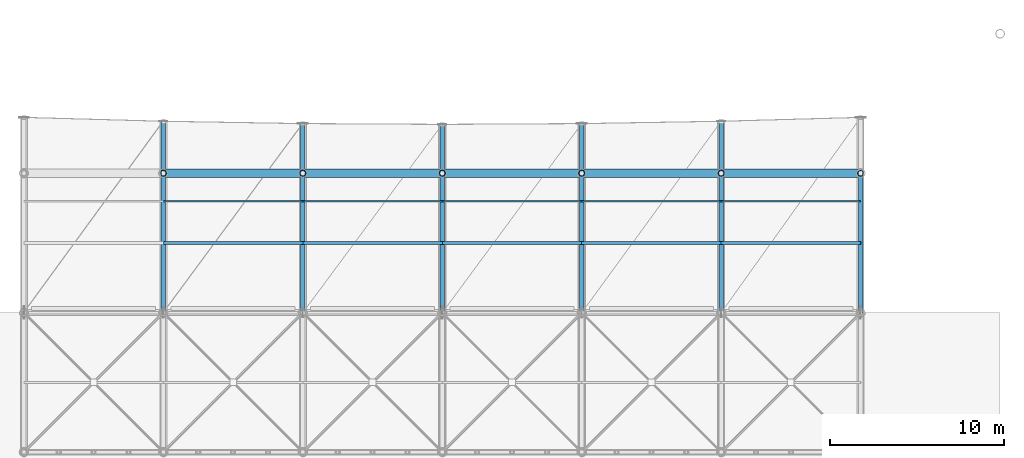
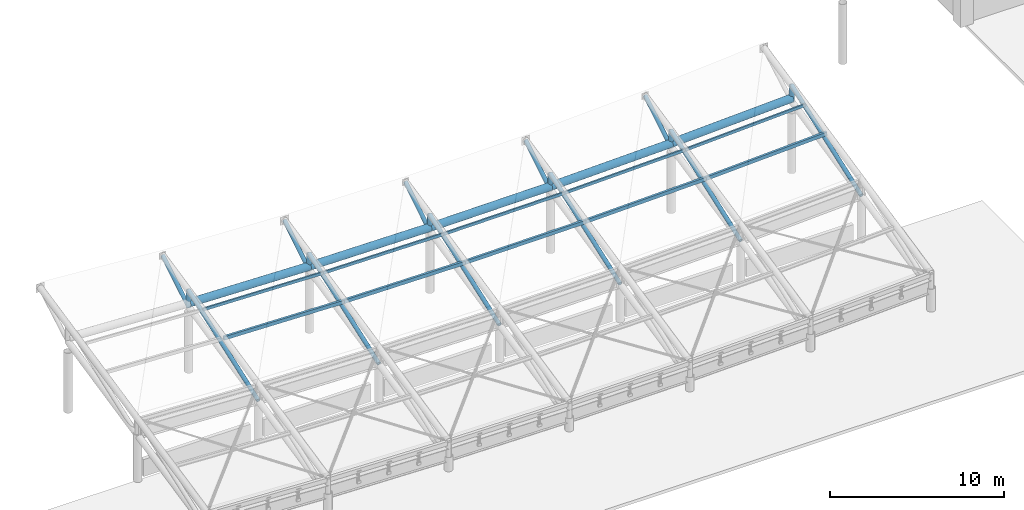
# One storey, part 25 of 78: 27 members, 5 beams.
"""IFC4 building model written with IfcOpenShell, lengths in metres."""

import ifcopenshell
import ifcopenshell.guid

model = None  # the IFC model being written
_history = None  # IfcOwnerHistory: only IFC2X3 demands one
_inside = {}  # id of a spatial element -> (the spatial element, [elements in it])
_under = {}  # id of a project, library or spatial element -> (it, [spatial elements below it])
_declared = {}  # id of a project -> (the project, [libraries it declares])
_typed = {}  # id of a type object -> (the type object, [elements of that type])
_made_of = {}  # id of a material, layer set ... -> (it, [elements and type objects made of it])


def new_model(schema):
    """Start an empty IFC model of exactly this schema.

    Asked for "IFC4X3", IfcOpenShell would pick the latest addendum, in which some entities
    have other attributes; the version numbers below select the first issue.
    IFC2X3 requires an IfcOwnerHistory on every rooted entity: one is made here for all.
    """
    global model, _history
    if schema == "IFC4X3":
        model = ifcopenshell.file(schema_version=(4, 3, 0, 0))
    else:
        model = ifcopenshell.file(schema=schema)
    _inside.clear()
    _under.clear()
    _declared.clear()
    _typed.clear()
    _made_of.clear()
    _history = None
    if model.schema == "IFC2X3":
        org = make("IfcOrganization", Name="unknown")
        user = make(
            "IfcPersonAndOrganization",
            ThePerson=make("IfcPerson", FamilyName="unknown"),
            TheOrganization=org,
        )
        app = make(
            "IfcApplication",
            ApplicationDeveloper=org,
            Version="unknown",
            ApplicationFullName="unknown",
            ApplicationIdentifier="unknown",
        )
        _history = make(
            "IfcOwnerHistory",
            OwningUser=user,
            OwningApplication=app,
            ChangeAction="ADDED",
            CreationDate=0,
        )
    return model


def make(cls, **values):
    """One entity of the class cls with the attributes given. An attribute that is None is left unset."""
    return model.create_entity(
        cls, **{name: value for name, value in values.items() if value is not None}
    )


def rooted(cls, **values):
    """An entity with a GlobalId (a new one), such as an element, a storey or a relation."""
    return make(cls, GlobalId=ifcopenshell.guid.new(), OwnerHistory=_history, **values)


def si_unit(unit_type, name, prefix=None):
    """IfcSIUnit, for example si_unit("LENGTHUNIT", "METRE", prefix="MILLI")."""
    return make("IfcSIUnit", UnitType=unit_type, Prefix=prefix, Name=name)


def assignment(units):
    """IfcUnitAssignment: the units of a project."""
    return None if units is None else make("IfcUnitAssignment", Units=units)


def point(xyz):
    """IfcCartesianPoint."""
    return None if xyz is None else make("IfcCartesianPoint", Coordinates=xyz)


def direction(xyz):
    """IfcDirection."""
    return None if xyz is None else make("IfcDirection", DirectionRatios=xyz)


def frame(location, z_axis=None, x_axis=None):
    """IfcAxis2Placement3D, a coordinate frame: its origin and axes. An axis left out is left unset."""
    return make(
        "IfcAxis2Placement3D",
        Location=point(location),
        Axis=direction(z_axis),
        RefDirection=direction(x_axis),
    )


def frame_2d(location, x_axis=None):
    """IfcAxis2Placement2D, a coordinate frame in the plane: its origin and x axis."""
    return make(
        "IfcAxis2Placement2D", Location=point(location), RefDirection=direction(x_axis)
    )


def origin():
    """The frame at (0, 0, 0) with its axes left unset."""
    return frame((0.0, 0.0, 0.0))


def origin_2d():
    """The frame at (0, 0) in the plane with its x axis left unset."""
    return frame_2d((0.0, 0.0))


def place(relative_to, where):
    """IfcLocalPlacement: puts the frame where relative to a parent placement (None: the world)."""
    return make(
        "IfcLocalPlacement", PlacementRelTo=relative_to, RelativePlacement=where
    )


def context(
    kind, dimensions, precision=None, world=None, true_north=None, identifier=None
):
    """IfcGeometricRepresentationContext, for example the 3D "Model" context."""
    return make(
        "IfcGeometricRepresentationContext",
        ContextIdentifier=identifier,
        ContextType=kind,
        CoordinateSpaceDimension=dimensions,
        Precision=precision,
        WorldCoordinateSystem=world,
        TrueNorth=true_north,
    )


def subcontext(parent, identifier, kind, view, scale=None):
    """IfcGeometricRepresentationSubContext, for example "Body" below "Model"."""
    return make(
        "IfcGeometricRepresentationSubContext",
        ContextIdentifier=identifier,
        ContextType=kind,
        ParentContext=parent,
        TargetScale=scale,
        TargetView=view,
    )


def project(units=None, contexts=None):
    """IfcProject with its units and contexts."""
    return rooted(
        "IfcProject",
        Name="project",
        RepresentationContexts=contexts,
        UnitsInContext=assignment(units),
    )


def spatial(cls, under=None, at=None, **own):
    """A site, building, storey or space (cls), placed at a placement, below another one or the project."""
    s = rooted(cls, ObjectPlacement=at, **own)
    if under is not None:
        _under.setdefault(under.id(), (under, []))[1].append(s)
    return s


def profile(cls, at=None, kind="AREA", **sizes):
    """A parametric profile (cls). Its sizes go by their IFC names, for example OverallWidth=200.0."""
    return make(cls, ProfileType=kind, Position=at, **sizes)


def hollow_rectangle(**sizes):
    """IfcRectangleHollowProfileDef."""
    return profile("IfcRectangleHollowProfileDef", **sizes)


def hollow_circle(**sizes):
    """IfcCircleHollowProfileDef."""
    return profile("IfcCircleHollowProfileDef", **sizes)


def extrude(swept, where, along, depth):
    """IfcExtrudedAreaSolid: the profile swept, set in the frame where, extruded along a direction by depth."""
    return make(
        "IfcExtrudedAreaSolid",
        SweptArea=swept,
        Position=where,
        ExtrudedDirection=direction(along),
        Depth=depth,
    )


def shape(context_of_items, identifier, shape_type, items):
    """IfcShapeRepresentation: the items that make up one representation, for example the "Body"."""
    return make(
        "IfcShapeRepresentation",
        ContextOfItems=context_of_items,
        RepresentationIdentifier=identifier,
        RepresentationType=shape_type,
        Items=items,
    )


def material(Name=None, Category=None):
    """IfcMaterial."""
    return make("IfcMaterial", Name=Name, Category=Category)


def material_profile(
    of_material, cross_section, Name=None, Category=None, Priority=None
):
    """IfcMaterialProfile: a cross section and its material."""
    return make(
        "IfcMaterialProfile",
        Name=Name,
        Material=of_material,
        Profile=cross_section,
        Priority=Priority,
        Category=Category,
    )


def profile_set(profiles, Name=None, composite=None):
    """IfcMaterialProfileSet."""
    return make(
        "IfcMaterialProfileSet",
        Name=Name,
        MaterialProfiles=profiles,
        CompositeProfile=composite,
    )


def made_of(thing, what):
    """Note that an element or type object is made of a material, layer set ...; save() writes the relation."""
    if what is not None:
        _made_of.setdefault(what.id(), (what, []))[1].append(thing)
    return thing


def type_object(cls, material=None, **own):
    """A type object (cls), such as IfcWallType, which elements share."""
    return made_of(rooted(cls, **own), material)


def element(
    cls,
    number,
    at=None,
    inside=None,
    cuts=None,
    type_object=None,
    material=None,
    context=None,
    identifier="Body",
    shape_type=None,
    held_by="IfcProductDefinitionShape",
    body=None,
    shapes=None,
    **own,
):
    """One element of the class cls, such as IfcWall. Its Tag is "e" and its number.

    at: its placement. inside: the storey or other place that contains it. cuts: it is an
    opening in that element (IfcRelVoidsElement). A single representation is given by context,
    identifier, shape_type and body (its items); several are given by shapes. held_by: the class
    of the entity that holds the representations. save() writes the other relations.
    """
    e = rooted(cls, Tag="e%d" % number, ObjectPlacement=at, **own)
    if body is not None:
        shapes = [shape(context, identifier, shape_type, body)]
    if shapes is not None:
        e.Representation = make(held_by, Representations=shapes)
    if inside is not None:
        _inside.setdefault(inside.id(), (inside, []))[1].append(e)
    if cuts is not None:
        rooted(
            "IfcRelVoidsElement", RelatingBuildingElement=cuts, RelatedOpeningElement=e
        )
    if type_object is not None:
        _typed.setdefault(type_object.id(), (type_object, []))[1].append(e)
    return made_of(e, material)


def aggregate(whole, parts):
    """IfcRelAggregates: a whole, such as a stair, and the parts it consists of."""
    return rooted("IfcRelAggregates", RelatingObject=whole, RelatedObjects=parts)


def save(model, path):
    """Write the relations noted so far, then the file.

    IfcRelAggregates (storeys below a building ...), IfcRelContainedInSpatialStructure (elements
    in a storey), IfcRelDefinesByType, IfcRelAssociatesMaterial and IfcRelDeclares: one each for
    every whole, place, type object, material and project.
    """
    for whole, parts in _under.values():
        aggregate(whole, parts)
    for where, things in _inside.values():
        rooted(
            "IfcRelContainedInSpatialStructure",
            RelatedElements=things,
            RelatingStructure=where,
        )
    for kind, things in _typed.values():
        rooted("IfcRelDefinesByType", RelatedObjects=things, RelatingType=kind)
    for what, things in _made_of.values():
        rooted("IfcRelAssociatesMaterial", RelatedObjects=things, RelatingMaterial=what)
    for by, libraries in _declared.values():
        rooted("IfcRelDeclares", RelatingContext=by, RelatedDefinitions=libraries)
    model.write(path)


model = new_model("IFC4")

# Units and contexts
model_context = context("Model", 3, precision=1e-05, world=origin(), true_north=direction((0.0, 1.0)))
body_context = subcontext(model_context, "Body", "Model", "MODEL_VIEW")
ifc_project = project(units=[si_unit("LENGTHUNIT", "METRE"), si_unit("AREAUNIT", "SQUARE_METRE"), si_unit("VOLUMEUNIT", "CUBIC_METRE"), si_unit("PLANEANGLEUNIT", "RADIAN"), si_unit("MASSUNIT", "GRAM", prefix="KILO")], contexts=[model_context])

# Site, building, storey
site_placement = place(None, origin())
site = spatial("IfcSite", under=ifc_project, at=site_placement, CompositionType="ELEMENT")
building_placement = place(site_placement, origin())
building = spatial("IfcBuilding", under=site, at=building_placement, Name="Haebicheon Civic Stadium", CompositionType="ELEMENT")
storey_placement = place(building_placement, frame((0.0, 0.0, 18.60009765625)))
storey = spatial("IfcBuildingStorey", under=building, at=storey_placement, Name="L05", CompositionType="ELEMENT", Elevation=18.60009765625)

# Members
ifc_material_1 = material(Name="White painted steel SM490", Category="steel")
ifc_material_profile_1 = material_profile(ifc_material_1, hollow_circle(Radius=0.1337890625, WallThickness=0.011962890625, at=origin_2d()), Name="CHS-267.4x12.0")
ifc_profile_set_1 = profile_set([ifc_material_profile_1], Name="White painted steel SM490")
member_type_1 = type_object("IfcMemberType", Name="BRC-CHS267", PredefinedType="BRACE", material=ifc_profile_set_1)
member_1_placement = place(storey_placement, frame((88.0, 40.1201171875, 4.581787109375), z_axis=(0.0, 0.857059789892, 0.515216960659), x_axis=(-1.0, 0.0, 0.0)))
element("IfcMember", 1, at=member_1_placement, inside=storey, type_object=member_type_1, material=ifc_profile_set_1, Name="BR267 diagonal brace CAN-SOUTH truss 2 tip", PredefinedType="BRACE", context=body_context, shape_type="SweptSolid", body=[
    extrude(hollow_circle(Radius=0.1337890625, WallThickness=0.011962890625, at=origin_2d()), origin(), (0.0, 0.0, 1.0), 3.33447265625),
])
member_2_placement = place(storey_placement, frame((88.0, 32.0, 2.789794921875), z_axis=(0.0, 0.941257424358, 0.337689888939), x_axis=(-1.0, 0.0, 0.0)))
element("IfcMember", 2, at=member_2_placement, inside=storey, type_object=member_type_1, material=ifc_profile_set_1, Name="BR267 diagonal brace CAN-SOUTH truss 2 D2", PredefinedType="BRACE", context=body_context, shape_type="SweptSolid", body=[
    extrude(hollow_circle(Radius=0.1337890625, WallThickness=0.011962890625, at=origin_2d()), origin(), (0.0, 0.0, 1.0), 8.499267578125),
])
member_3_placement = place(storey_placement, frame((96.0, 40.118896484375, 4.364013671875), z_axis=(0.0, 0.850292744236, 0.52631003135), x_axis=(-1.0, 0.0, 0.0)))
element("IfcMember", 3, at=member_3_placement, inside=storey, type_object=member_type_1, material=ifc_profile_set_1, Name="BR267 diagonal brace CAN-SOUTH truss 3 tip", PredefinedType="BRACE", context=body_context, shape_type="SweptSolid", body=[
    extrude(hollow_circle(Radius=0.1337890625, WallThickness=0.011962890625, at=origin_2d()), origin(), (0.0, 0.0, 1.0), 3.204833984375),
])
member_4_placement = place(storey_placement, frame((96.0, 32.0, 2.56982421875), z_axis=(0.0, 0.941257424358, 0.337689888939), x_axis=(-1.0, 0.0, 0.0)))
element("IfcMember", 4, at=member_4_placement, inside=storey, type_object=member_type_1, material=ifc_profile_set_1, Name="BR267 diagonal brace CAN-SOUTH truss 3 D2", PredefinedType="BRACE", context=body_context, shape_type="SweptSolid", body=[
    extrude(hollow_circle(Radius=0.1337890625, WallThickness=0.011962890625, at=origin_2d()), origin(), (0.0, 0.0, 1.0), 8.499267578125),
])
member_5_placement = place(storey_placement, frame((104.0, 40.118896484375, 4.291015625), z_axis=(0.0, 0.847677255157, 0.530512272327), x_axis=(-1.0, 0.0, 0.0)))
element("IfcMember", 5, at=member_5_placement, inside=storey, type_object=member_type_1, material=ifc_profile_set_1, Name="BR267 diagonal brace CAN-SOUTH truss 4 tip", PredefinedType="BRACE", context=body_context, shape_type="SweptSolid", body=[
    extrude(hollow_circle(Radius=0.1337890625, WallThickness=0.011962890625, at=origin_2d()), origin(), (0.0, 0.0, 1.0), 3.162841796875),
])
member_6_placement = place(storey_placement, frame((104.0, 32.0, 2.496826171875), z_axis=(0.0, 0.941257424358, 0.337689888939), x_axis=(-1.0, 0.0, 0.0)))
element("IfcMember", 6, at=member_6_placement, inside=storey, type_object=member_type_1, material=ifc_profile_set_1, Name="BR267 diagonal brace CAN-SOUTH truss 4 D2", PredefinedType="BRACE", context=body_context, shape_type="SweptSolid", body=[
    extrude(hollow_circle(Radius=0.1337890625, WallThickness=0.011962890625, at=origin_2d()), origin(), (0.0, 0.0, 1.0), 8.499267578125),
])
member_7_placement = place(storey_placement, frame((112.0, 40.118896484375, 4.364013671875), z_axis=(0.0, 0.850292744236, 0.52631003135), x_axis=(-1.0, 0.0, 0.0)))
element("IfcMember", 7, at=member_7_placement, inside=storey, type_object=member_type_1, material=ifc_profile_set_1, Name="BR267 diagonal brace CAN-SOUTH truss 5 tip", PredefinedType="BRACE", context=body_context, shape_type="SweptSolid", body=[
    extrude(hollow_circle(Radius=0.1337890625, WallThickness=0.011962890625, at=origin_2d()), origin(), (0.0, 0.0, 1.0), 3.204833984375),
])
member_8_placement = place(storey_placement, frame((112.0, 32.0, 2.56982421875), z_axis=(0.0, 0.941257424358, 0.337689888939), x_axis=(-1.0, 0.0, 0.0)))
element("IfcMember", 8, at=member_8_placement, inside=storey, type_object=member_type_1, material=ifc_profile_set_1, Name="BR267 diagonal brace CAN-SOUTH truss 5 D2", PredefinedType="BRACE", context=body_context, shape_type="SweptSolid", body=[
    extrude(hollow_circle(Radius=0.1337890625, WallThickness=0.011962890625, at=origin_2d()), origin(), (0.0, 0.0, 1.0), 8.499267578125),
])
member_9_placement = place(storey_placement, frame((120.0, 40.1201171875, 4.581787109375), z_axis=(0.0, 0.857059789892, 0.515216960659), x_axis=(-1.0, 0.0, 0.0)))
element("IfcMember", 9, at=member_9_placement, inside=storey, type_object=member_type_1, material=ifc_profile_set_1, Name="BR267 diagonal brace CAN-SOUTH truss 6 tip", PredefinedType="BRACE", context=body_context, shape_type="SweptSolid", body=[
    extrude(hollow_circle(Radius=0.1337890625, WallThickness=0.011962890625, at=origin_2d()), origin(), (0.0, 0.0, 1.0), 3.33447265625),
])
for number, where, z_axis, x_axis, name in (
    (10, (120.0, 32.0, 2.789794921875), (0.0, 0.941257424358, 0.337689888939), (-1.0, 0.0, 0.0), "BR267 diagonal brace CAN-SOUTH truss 6 D2"),
    (11, (128.0, 32.0, 3.156982421875), (0.0, 0.9412665544, 0.3376644393), (-1.0, 0.0, 0.0), "BR267 diagonal brace CAN-SOUTH truss 7 D2"),
):
    element("IfcMember", number, at=place(storey_placement, frame(where, z_axis=z_axis, x_axis=x_axis)), inside=storey, type_object=member_type_1, material=ifc_profile_set_1, Name=name, PredefinedType="BRACE", context=body_context, shape_type="SweptSolid", body=[
        extrude(hollow_circle(Radius=0.1337890625, WallThickness=0.011962890625, at=origin_2d()), origin(), (0.0, 0.0, 1.0), 8.499267578125),
    ])
ifc_material_2 = material(Name="White painted steel SM490", Category="steel")
ifc_material_profile_2 = material_profile(ifc_material_2, hollow_rectangle(XDim=0.10009765625, YDim=0.199951171875, WallThickness=0.008056640625, at=origin_2d()), Name="RHS-200x100x8.0")
ifc_profile_set_2 = profile_set([ifc_material_profile_2], Name="White painted steel SM490")
member_type_2 = type_object("IfcMemberType", Name="PRL-RHS200", PredefinedType="RAFTER", material=ifc_profile_set_2)
member_10_placement = place(storey_placement, frame((88.0, 38.39990234375, 5.27392578125), z_axis=(0.99962218992, 0.0, -0.027485949497), x_axis=(0.0, 1.0, 0.0)))
element("IfcMember", 12, at=member_10_placement, inside=storey, type_object=member_type_2, material=ifc_profile_set_2, Name="CAN-SOUTH canopy purlin bay 2 (90%)", PredefinedType="RAFTER", context=body_context, shape_type="SweptSolid", body=[
    extrude(hollow_rectangle(XDim=0.10009765625, YDim=0.199951171875, WallThickness=0.008056640625, at=origin_2d()), origin(), (0.0, 0.0, 1.0), 8.0029296875),
])
for number, where, z_axis, x_axis, name in (
    (13, (96.0, 38.39990234375, 5.053955078125), (0.999958372015, 0.0, -0.009124376014), (0.0, 1.0, 0.0), "CAN-SOUTH canopy purlin bay 3 (90%)"),
    (14, (104.0, 38.39990234375, 4.98095703125), (0.999958372015, 0.0, 0.009124376014), (0.0, 1.0, 0.0), "CAN-SOUTH canopy purlin bay 4 (90%)"),
):
    element("IfcMember", number, at=place(storey_placement, frame(where, z_axis=z_axis, x_axis=x_axis)), inside=storey, type_object=member_type_2, material=ifc_profile_set_2, Name=name, PredefinedType="RAFTER", context=body_context, shape_type="SweptSolid", body=[
        extrude(hollow_rectangle(XDim=0.10009765625, YDim=0.199951171875, WallThickness=0.008056640625, at=origin_2d()), origin(), (0.0, 0.0, 1.0), 8.000244140625),
    ])
member_11_placement = place(storey_placement, frame((112.0, 38.39990234375, 5.053955078125), z_axis=(0.99962218992, 0.0, 0.027485949497), x_axis=(0.0, 1.0, 0.0)))
element("IfcMember", 15, at=member_11_placement, inside=storey, type_object=member_type_2, material=ifc_profile_set_2, Name="CAN-SOUTH canopy purlin bay 5 (90%)", PredefinedType="RAFTER", context=body_context, shape_type="SweptSolid", body=[
    extrude(hollow_rectangle(XDim=0.10009765625, YDim=0.199951171875, WallThickness=0.008056640625, at=origin_2d()), origin(), (0.0, 0.0, 1.0), 8.0029296875),
])
member_12_placement = place(storey_placement, frame((120.0, 38.39990234375, 5.27392578125), z_axis=(0.998949723901, 0.0, 0.045819745942), x_axis=(0.0, 1.0, 0.0)))
element("IfcMember", 16, at=member_12_placement, inside=storey, type_object=member_type_2, material=ifc_profile_set_2, Name="CAN-SOUTH canopy purlin bay 6 (90%)", PredefinedType="RAFTER", context=body_context, shape_type="SweptSolid", body=[
    extrude(hollow_rectangle(XDim=0.10009765625, YDim=0.199951171875, WallThickness=0.008056640625, at=origin_2d()), origin(), (0.0, 0.0, 1.0), 8.00830078125),
])
ifc_material_3 = material(Name="White painted steel SM490", Category="steel")
ifc_material_profile_3 = material_profile(ifc_material_3, hollow_rectangle(XDim=0.14990234375, YDim=0.25, WallThickness=0.010009765625, at=origin_2d()), Name="RHS-250x150x10.0")
ifc_profile_set_3 = profile_set([ifc_material_profile_3], Name="White painted steel SM490")
member_type_3 = type_object("IfcMemberType", Name="PRL-RHS250", PredefinedType="PURLIN", material=ifc_profile_set_3)
member_13_placement = place(storey_placement, frame((88.0, 36.0, 4.73291015625), z_axis=(0.99962218992, 0.0, -0.027485949497), x_axis=(0.0, 1.0, 0.0)))
element("IfcMember", 17, at=member_13_placement, inside=storey, type_object=member_type_3, material=ifc_profile_set_3, Name="CAN-SOUTH canopy purlin bay 2 (75%)", PredefinedType="PURLIN", context=body_context, shape_type="SweptSolid", body=[
    extrude(hollow_rectangle(XDim=0.14990234375, YDim=0.25, WallThickness=0.010009765625, at=origin_2d()), origin(), (0.0, 0.0, 1.0), 8.0029296875),
])
for number, where, z_axis, x_axis, name in (
    (18, (96.0, 36.0, 4.512939453125), (0.999958372015, 0.0, -0.009124376014), (0.0, 1.0, 0.0), "CAN-SOUTH canopy purlin bay 3 (75%)"),
    (19, (104.0, 36.0, 4.43994140625), (0.999958372015, 0.0, 0.009124376014), (0.0, 1.0, 0.0), "CAN-SOUTH canopy purlin bay 4 (75%)"),
):
    element("IfcMember", number, at=place(storey_placement, frame(where, z_axis=z_axis, x_axis=x_axis)), inside=storey, type_object=member_type_3, material=ifc_profile_set_3, Name=name, PredefinedType="PURLIN", context=body_context, shape_type="SweptSolid", body=[
        extrude(hollow_rectangle(XDim=0.14990234375, YDim=0.25, WallThickness=0.010009765625, at=origin_2d()), origin(), (0.0, 0.0, 1.0), 8.000244140625),
    ])
member_14_placement = place(storey_placement, frame((112.0, 36.0, 4.512939453125), z_axis=(0.99962218992, 0.0, 0.027485949497), x_axis=(0.0, 1.0, 0.0)))
element("IfcMember", 20, at=member_14_placement, inside=storey, type_object=member_type_3, material=ifc_profile_set_3, Name="CAN-SOUTH canopy purlin bay 5 (75%)", PredefinedType="PURLIN", context=body_context, shape_type="SweptSolid", body=[
    extrude(hollow_rectangle(XDim=0.14990234375, YDim=0.25, WallThickness=0.010009765625, at=origin_2d()), origin(), (0.0, 0.0, 1.0), 8.0029296875),
])
member_15_placement = place(storey_placement, frame((120.0, 36.0, 4.73291015625), z_axis=(0.998949723901, 0.0, 0.045819745942), x_axis=(0.0, 1.0, 0.0)))
element("IfcMember", 21, at=member_15_placement, inside=storey, type_object=member_type_3, material=ifc_profile_set_3, Name="CAN-SOUTH canopy purlin bay 6 (75%)", PredefinedType="PURLIN", context=body_context, shape_type="SweptSolid", body=[
    extrude(hollow_rectangle(XDim=0.14990234375, YDim=0.25, WallThickness=0.010009765625, at=origin_2d()), origin(), (0.0, 0.0, 1.0), 8.00830078125),
])

# Beams
ifc_material_4 = material(Name="White painted steel SM490", Category="steel")
ifc_material_profile_4 = material_profile(ifc_material_4, hollow_circle(Radius=0.25390625, WallThickness=0.02490234375, at=origin_2d()), Name="CHS-508.0x25.0")
ifc_profile_set_4 = profile_set([ifc_material_profile_4], Name="White painted steel SM490")
beam_type = type_object("IfcBeamType", Name="RB-ST-CHS508", PredefinedType="USERDEFINED", material=ifc_profile_set_4)
beam_1_placement = place(storey_placement, frame((88.0, 40.0, 4.760009765625), z_axis=(0.999621351285, 0.0, -0.02751643246), x_axis=(0.0, 1.0, 0.0)))
element("IfcBeam", 22, at=beam_1_placement, inside=storey, type_object=beam_type, material=ifc_profile_set_4, Name="CAN-SOUTH polygonal ring beam RB-PIR bay 2", ObjectType="RING BEAM", PredefinedType="USERDEFINED", context=body_context, shape_type="SweptSolid", body=[
    extrude(hollow_circle(Radius=0.25390625, WallThickness=0.02490234375, at=origin_2d()), origin(), (0.0, 0.0, 1.0), 8.0029296875),
])
for number, where, z_axis, x_axis, name in (
    (23, (96.0, 40.0, 4.539794921875), (0.999958372015, 0.0, -0.009124376014), (0.0, 1.0, 0.0), "CAN-SOUTH polygonal ring beam RB-PIR bay 3"),
    (24, (104.0, 40.0, 4.466796875), (0.999958372015, 0.0, 0.009124376014), (0.0, 1.0, 0.0), "CAN-SOUTH polygonal ring beam RB-PIR bay 4"),
):
    element("IfcBeam", number, at=place(storey_placement, frame(where, z_axis=z_axis, x_axis=x_axis)), inside=storey, type_object=beam_type, material=ifc_profile_set_4, Name=name, ObjectType="RING BEAM", PredefinedType="USERDEFINED", context=body_context, shape_type="SweptSolid", body=[
        extrude(hollow_circle(Radius=0.25390625, WallThickness=0.02490234375, at=origin_2d()), origin(), (0.0, 0.0, 1.0), 8.000244140625),
    ])
beam_2_placement = place(storey_placement, frame((112.0, 40.0, 4.539794921875), z_axis=(0.999621351285, 0.0, 0.02751643246), x_axis=(0.0, 1.0, 0.0)))
element("IfcBeam", 25, at=beam_2_placement, inside=storey, type_object=beam_type, material=ifc_profile_set_4, Name="CAN-SOUTH polygonal ring beam RB-PIR bay 5", ObjectType="RING BEAM", PredefinedType="USERDEFINED", context=body_context, shape_type="SweptSolid", body=[
    extrude(hollow_circle(Radius=0.25390625, WallThickness=0.02490234375, at=origin_2d()), origin(), (0.0, 0.0, 1.0), 8.0029296875),
])
beam_3_placement = place(storey_placement, frame((120.0, 40.0, 4.760009765625), z_axis=(0.998949723901, 0.0, 0.045819745942), x_axis=(0.0, 1.0, 0.0)))
element("IfcBeam", 26, at=beam_3_placement, inside=storey, type_object=beam_type, material=ifc_profile_set_4, Name="CAN-SOUTH polygonal ring beam RB-PIR bay 6", ObjectType="RING BEAM", PredefinedType="USERDEFINED", context=body_context, shape_type="SweptSolid", body=[
    extrude(hollow_circle(Radius=0.25390625, WallThickness=0.02490234375, at=origin_2d()), origin(), (0.0, 0.0, 1.0), 8.00830078125),
])

# Members
ifc_material_5 = material(Name="White painted steel SM490", Category="steel")
ifc_material_profile_5 = material_profile(ifc_material_5, hollow_circle(Radius=0.1591796875, WallThickness=0.013916015625, at=origin_2d()), Name="CHS-318.5x14.0")
ifc_profile_set_5 = profile_set([ifc_material_profile_5], Name="White painted steel SM490")
member_type_4 = type_object("IfcMemberType", Name="STR-CHS318", PredefinedType="STRUT", material=ifc_profile_set_5)
member_16_placement = place(storey_placement, frame((88.0, 40.0, 4.510009765625), z_axis=(0.0, 0.0, 1.0), x_axis=(1.0, 0.0, 0.0)))
element("IfcMember", 27, at=member_16_placement, inside=storey, type_object=member_type_4, material=ifc_profile_set_5, Name="ST318 web strut CAN-SOUTH truss 2 VR", PredefinedType="STRUT", context=body_context, shape_type="SweptSolid", body=[
    extrude(hollow_circle(Radius=0.1591796875, WallThickness=0.013916015625, at=origin_2d()), origin(), (0.0, 0.0, 1.0), 1.14990234375),
])
for number, where, z_axis, x_axis, name in (
    (28, (96.0, 40.0, 4.289794921875), (0.0, 0.0, 1.0), (1.0, 0.0, 0.0), "ST318 web strut CAN-SOUTH truss 3 VR"),
    (29, (104.0, 40.0, 4.216796875), (0.0, 0.0, 1.0), (1.0, 0.0, 0.0), "ST318 web strut CAN-SOUTH truss 4 VR"),
    (30, (112.0, 40.0, 4.289794921875), (0.0, 0.0, 1.0), (1.0, 0.0, 0.0), "ST318 web strut CAN-SOUTH truss 5 VR"),
):
    element("IfcMember", number, at=place(storey_placement, frame(where, z_axis=z_axis, x_axis=x_axis)), inside=storey, type_object=member_type_4, material=ifc_profile_set_5, Name=name, PredefinedType="STRUT", context=body_context, shape_type="SweptSolid", body=[
        extrude(hollow_circle(Radius=0.1591796875, WallThickness=0.013916015625, at=origin_2d()), origin(), (0.0, 0.0, 1.0), 1.150146484375),
    ])
for number, where, z_axis, x_axis, name in (
    (31, (120.0, 40.0, 4.510009765625), (0.0, 0.0, 1.0), (1.0, 0.0, 0.0), "ST318 web strut CAN-SOUTH truss 6 VR"),
    (32, (128.0, 40.0, 4.876953125), (0.0, 0.0, 1.0), (1.0, 0.0, 0.0), "ST318 web strut CAN-SOUTH truss 7 VR"),
):
    element("IfcMember", number, at=place(storey_placement, frame(where, z_axis=z_axis, x_axis=x_axis)), inside=storey, type_object=member_type_4, material=ifc_profile_set_5, Name=name, PredefinedType="STRUT", context=body_context, shape_type="SweptSolid", body=[
        extrude(hollow_circle(Radius=0.1591796875, WallThickness=0.013916015625, at=origin_2d()), origin(), (0.0, 0.0, 1.0), 1.14990234375),
    ])

save(model, "model.ifc")
